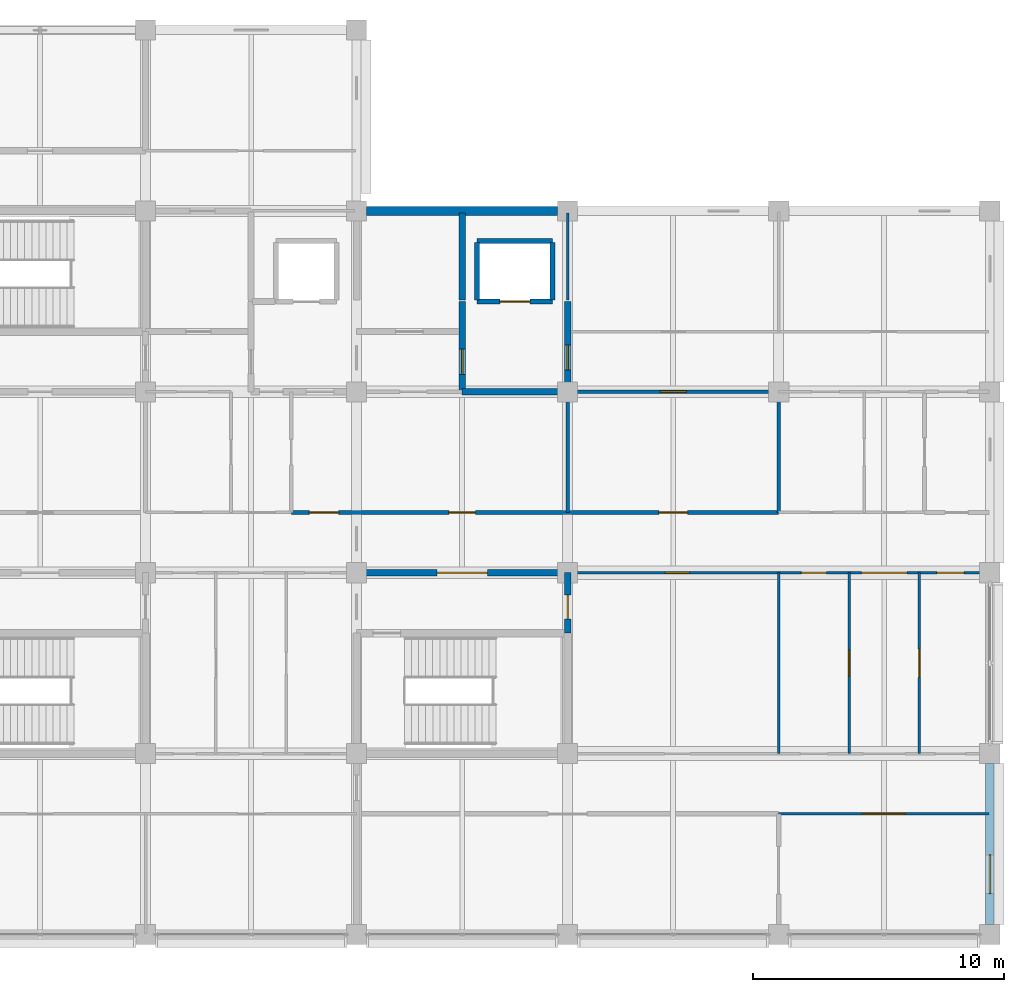
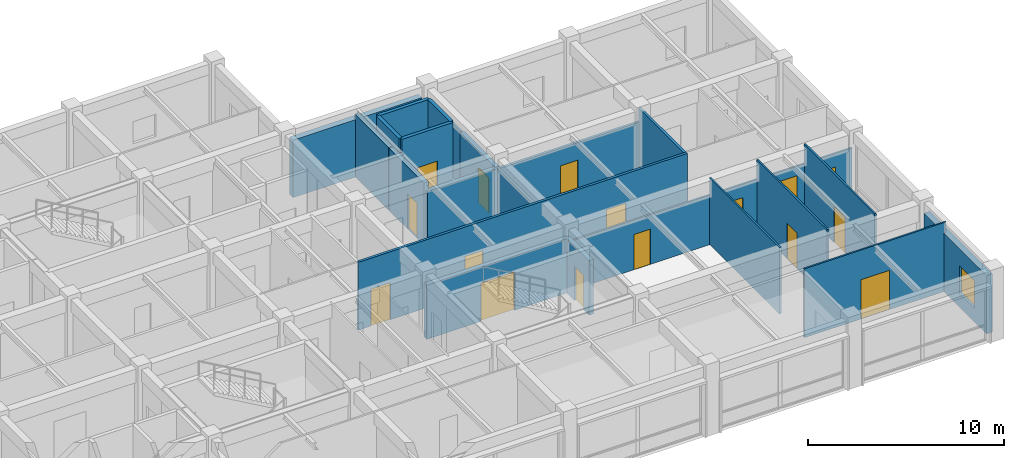
# One storey, part 25 of 30: 22 walls, 16 doors, 1 window, 17 openings.
"""IFC4 building model written with IfcOpenShell, lengths in metres."""

from ifc_helpers import new_model, si_unit, direction, frame, frame_2d, origin, place, context, subcontext, project, spatial, rectangle, extrude, material, layer, layer_set, type_object, element, fill, save


model = new_model("IFC4")

# Units and contexts
model_context = context("Model", 3, precision=1e-05, world=origin(), true_north=direction((0.0, 1.0)))
body_context = subcontext(model_context, "Body", "Model", "MODEL_VIEW")
ifc_project = project(units=[si_unit("LENGTHUNIT", "METRE"), si_unit("AREAUNIT", "SQUARE_METRE"), si_unit("VOLUMEUNIT", "CUBIC_METRE"), si_unit("PLANEANGLEUNIT", "RADIAN"), si_unit("MASSUNIT", "GRAM", prefix="KILO")], contexts=[model_context])

# Site, building, storey
site_placement = place(None, origin())
site = spatial("IfcSite", under=ifc_project, at=site_placement, CompositionType="ELEMENT")
building_placement = place(site_placement, origin())
building = spatial("IfcBuilding", under=site, at=building_placement, Name="Chengyuan Square Courthouse", CompositionType="ELEMENT")
storey_placement = place(building_placement, frame((0.0, 0.0, 30.60009765625)))
storey = spatial("IfcBuildingStorey", under=building, at=storey_placement, Name="L07", CompositionType="ELEMENT", Elevation=30.60009765625)

# Wall
ifc_material_1 = material(Name="Concrete C40", Category="concrete")
ifc_layer_1 = layer(ifc_material_1, 0.35009765625)
ifc_layer_set_1 = layer_set([ifc_layer_1], Name="Concrete C40")
wall_type_1 = type_object("IfcWallType", Name="WL-EW2", PredefinedType="STANDARD", material=ifc_layer_set_1)
wall_1_placement = place(storey_placement, frame((117.9951171875, 108.0, 0.0), z_axis=(0.0, 0.0, 1.0), x_axis=(1.0, 0.0, 0.0)))
element("IfcWall", 1, at=wall_1_placement, inside=storey, type_object=wall_type_1, Name="Exterior Wall WL-L07-E389", PredefinedType="STANDARD", context=body_context, shape_type="SweptSolid", body=[
    extrude(rectangle(XDim=7.60986328125, YDim=0.35009765625, at=frame_2d((3.804931640625, 0.0))), origin(), (0.0, 0.0, 1.0), 3.58984375),
])

# Wall, opening, window
wall_2_placement = place(storey_placement, frame((142.800048828125, 79.594970703125, 0.0), z_axis=(0.0, 0.0, 1.0), x_axis=(0.0, 1.0, 0.0)))
wall_2 = element("IfcWall", 2, at=wall_2_placement, inside=storey, type_object=wall_type_1, Name="Exterior Wall WL-L07-E391", PredefinedType="STANDARD", context=body_context, shape_type="SweptSolid", body=[
    extrude(rectangle(XDim=6.409912109375, YDim=0.35009765625, at=frame_2d((3.205078125, 0.0))), origin(), (0.0, 0.0, 1.0), 3.64990234375),
])
opening_1_placement = place(wall_2_placement, frame((1.22998046875, 0.0, 0.85009765625)))
opening_1 = element("IfcOpeningElement", 3, at=opening_1_placement, cuts=wall_2, Name="Opening WN-149", PredefinedType="OPENING", context=body_context, shape_type="SweptSolid", body=[
    extrude(rectangle(XDim=1.550048828125, YDim=1.739990234375, at=frame_2d((0.77490234375, 0.8701171875))), frame((0.0, 0.18701171875, 0.0), z_axis=(0.0, -1.0, 0.0), x_axis=(1.0, 0.0, 0.0)), (0.0, 0.0, 1.0), 0.3740234375),
])
ifc_material_2 = material(Name="Thermally Broken Aluminium Triple Low-E Window", Category="aluminium")
window_type = type_object("IfcWindowType", Name="WT-28", PartitioningType="SINGLE_PANEL", PredefinedType="WINDOW", material=ifc_material_2)
window_placement = place(opening_1_placement, origin())
window = element("IfcWindow", 4, at=window_placement, inside=storey, type_object=window_type, Name="Facade Window WN-149", OverallHeight=1.739990234375, OverallWidth=1.550048828125, PartitioningType="SINGLE_PANEL", PredefinedType="WINDOW", context=body_context, shape_type="SweptSolid", body=[
    extrude(rectangle(XDim=1.550048828125, YDim=1.739990234375, at=frame_2d((0.77490234375, 0.8701171875))), frame((0.0, 0.030029296875, 0.0), z_axis=(0.0, -1.0, 0.0), x_axis=(1.0, 0.0, 0.0)), (0.0, 0.0, 1.0), 0.06005859375),
])
fill(opening_1, window)

# Wall, opening, door
ifc_layer_2 = layer(ifc_material_1, 0.25)
ifc_layer_set_2 = layer_set([ifc_layer_2], Name="Concrete C40")
wall_type_2 = type_object("IfcWallType", Name="WL-FW1", PredefinedType="STANDARD", material=ifc_layer_set_2)
wall_3_placement = place(storey_placement, frame((117.60009765625, 93.60009765625, 0.0), z_axis=(0.0, 0.0, 1.0), x_axis=(1.0, 0.0, 0.0)))
wall_3 = element("IfcWall", 5, at=wall_3_placement, inside=storey, type_object=wall_type_2, Name="Interior Wall WL-L07-I2655", PredefinedType="STANDARD", context=body_context, shape_type="SweptSolid", body=[
    extrude(rectangle(XDim=8.39990234375, YDim=0.25, at=frame_2d((4.199951171875, 0.0))), origin(), (0.0, 0.0, 1.0), 3.389892578125),
])
opening_2_placement = place(wall_3_placement, frame((3.199951171875, 0.0, 0.0)))
opening_2 = element("IfcOpeningElement", 6, at=opening_2_placement, cuts=wall_3, Name="Opening DR-2324", PredefinedType="OPENING", context=body_context, shape_type="SweptSolid", body=[
    extrude(rectangle(XDim=2.0, YDim=2.39990234375, at=frame_2d((1.0, 1.199951171875))), frame((0.0, 0.136962890625, 0.0), z_axis=(0.0, -1.0, 0.0), x_axis=(1.0, 0.0, 0.0)), (0.0, 0.0, 1.0), 0.27392578125),
])
ifc_material_3 = material(Name="Steel Q235B Glazed Fire Door", Category="steel")
door_type_1 = type_object("IfcDoorType", Name="DT-20", OperationType="DOUBLE_DOOR_SINGLE_SWING", PredefinedType="DOOR", material=ifc_material_3)
door_1_placement = place(opening_2_placement, frame((2.0, 0.0, 0.0), z_axis=(0.0, 0.0, 1.0), x_axis=(-1.0, 0.0, 0.0)))
door_1 = element("IfcDoor", 7, at=door_1_placement, inside=storey, type_object=door_type_1, Name="Interior Door DR-2324", OperationType="DOUBLE_DOOR_SINGLE_SWING", OverallHeight=2.39990234375, OverallWidth=2.0, PredefinedType="DOOR", context=body_context, shape_type="SweptSolid", body=[
    extrude(rectangle(XDim=2.0, YDim=2.39990234375, at=frame_2d((1.0, 1.199951171875))), frame((0.0, 0.02490234375, 0.0), z_axis=(0.0, -1.0, 0.0), x_axis=(1.0, 0.0, 0.0)), (0.0, 0.0, 1.0), 0.050048828125),
])
fill(opening_2, door_1)

# Wall
wall_4_placement = place(storey_placement, frame((121.800048828125, 100.800048828125, 0.0), z_axis=(0.0, 0.0, 1.0), x_axis=(1.0, 0.0, 0.0)))
element("IfcWall", 8, at=wall_4_placement, inside=storey, type_object=wall_type_2, Name="Interior Wall WL-L07-I2682", PredefinedType="STANDARD", context=body_context, shape_type="SweptSolid", body=[
    extrude(rectangle(XDim=4.199951171875, YDim=0.25, at=frame_2d((2.10009765625, 0.0))), origin(), (0.0, 0.0, 1.0), 3.389892578125),
])

# Wall, opening, door
wall_5_placement = place(storey_placement, frame((121.800048828125, 100.800048828125, 0.0), z_axis=(0.0, 0.0, 1.0), x_axis=(0.0, 1.0, 0.0)))
wall_5 = element("IfcWall", 9, at=wall_5_placement, inside=storey, type_object=wall_type_2, Name="Interior Wall WL-L07-I2856", PredefinedType="STANDARD", context=body_context, shape_type="SweptSolid", body=[
    extrude(rectangle(XDim=3.599853515625, YDim=0.25, at=frame_2d((1.7998046875, 0.0))), origin(), (0.0, 0.0, 1.0), 3.889892578125),
])
opening_3_placement = place(wall_5_placement, frame((0.699951171875, 0.0, 0.0)))
opening_3 = element("IfcOpeningElement", 10, at=opening_3_placement, cuts=wall_5, Name="Opening DR-2343", PredefinedType="OPENING", context=body_context, shape_type="SweptSolid", body=[
    extrude(rectangle(XDim=1.0, YDim=2.199951171875, at=frame_2d((0.5, 1.10009765625))), frame((0.0, 0.136962890625, 0.0), z_axis=(0.0, -1.0, 0.0), x_axis=(1.0, 0.0, 0.0)), (0.0, 0.0, 1.0), 0.27392578125),
])
ifc_material_4 = material(Name="Steel Q235B Fire Door", Category="steel")
door_type_2 = type_object("IfcDoorType", Name="DT-11", OperationType="NOTDEFINED", PredefinedType="DOOR", material=ifc_material_4)
door_2_placement = place(opening_3_placement, origin())
door_2 = element("IfcDoor", 11, at=door_2_placement, inside=storey, type_object=door_type_2, Name="Interior Door DR-2343", OperationType="SINGLE_SWING_RIGHT", OverallHeight=2.199951171875, OverallWidth=1.0, PredefinedType="DOOR", context=body_context, shape_type="SweptSolid", body=[
    extrude(rectangle(XDim=1.0, YDim=2.199951171875, at=frame_2d((0.5, 1.10009765625))), frame((0.0, 0.02490234375, 0.0), z_axis=(0.0, -1.0, 0.0), x_axis=(1.0, 0.0, 0.0)), (0.0, 0.0, 1.0), 0.050048828125),
])
fill(opening_3, door_2)

# Wall
wall_6_placement = place(storey_placement, frame((121.800048828125, 104.449951171875, 0.0), z_axis=(0.0, 0.0, 1.0), x_axis=(0.0, 1.0, 0.0)))
element("IfcWall", 12, at=wall_6_placement, inside=storey, type_object=wall_type_2, Name="Interior Wall WL-L07-I2857", PredefinedType="STANDARD", context=body_context, shape_type="SweptSolid", body=[
    extrude(rectangle(XDim=3.4599609375, YDim=0.25, at=frame_2d((1.72998046875, 0.0))), origin(), (0.0, 0.0, 1.0), 3.889892578125),
])

# Wall, opening, door
wall_7_placement = place(storey_placement, frame((126.0, 91.199951171875, 0.0), z_axis=(0.0, 0.0, 1.0), x_axis=(0.0, 1.0, 0.0)))
wall_7 = element("IfcWall", 13, at=wall_7_placement, inside=storey, type_object=wall_type_2, Name="Interior Wall WL-L07-I2861", PredefinedType="STANDARD", context=body_context, shape_type="SweptSolid", body=[
    extrude(rectangle(XDim=2.400146484375, YDim=0.25, at=frame_2d((1.2001953125, 0.0))), origin(), (0.0, 0.0, 1.0), 3.39990234375),
])
opening_4_placement = place(wall_7_placement, frame((0.56494140625, 0.0, 0.0)))
opening_4 = element("IfcOpeningElement", 14, at=opening_4_placement, cuts=wall_7, Name="Opening DR-2326", PredefinedType="OPENING", context=body_context, shape_type="SweptSolid", body=[
    extrude(rectangle(XDim=0.949951171875, YDim=2.14990234375, at=frame_2d((0.47509765625, 1.074951171875))), frame((0.0, 0.136962890625, 0.0), z_axis=(0.0, -1.0, 0.0), x_axis=(1.0, 0.0, 0.0)), (0.0, 0.0, 1.0), 0.27392578125),
])
door_type_3 = type_object("IfcDoorType", Name="DT-12", OperationType="NOTDEFINED", PredefinedType="DOOR", material=ifc_material_4)
door_3_placement = place(opening_4_placement, origin())
door_3 = element("IfcDoor", 15, at=door_3_placement, inside=storey, type_object=door_type_3, Name="Interior Door DR-2326", OperationType="SINGLE_SWING_LEFT", OverallHeight=2.14990234375, OverallWidth=0.949951171875, PredefinedType="DOOR", context=body_context, shape_type="SweptSolid", body=[
    extrude(rectangle(XDim=0.949951171875, YDim=2.14990234375, at=frame_2d((0.47509765625, 1.074951171875))), frame((0.0, 0.02490234375, 0.0), z_axis=(0.0, -1.0, 0.0), x_axis=(1.0, 0.0, 0.0)), (0.0, 0.0, 1.0), 0.050048828125),
])
fill(opening_4, door_3)

wall_8_placement = place(storey_placement, frame((126.0, 100.800048828125, 0.0), z_axis=(0.0, 0.0, 1.0), x_axis=(0.0, 1.0, 0.0)))
wall_8 = element("IfcWall", 16, at=wall_8_placement, inside=storey, type_object=wall_type_2, Name="Interior Wall WL-L07-I2863", PredefinedType="STANDARD", context=body_context, shape_type="SweptSolid", body=[
    extrude(rectangle(XDim=3.599853515625, YDim=0.25, at=frame_2d((1.7998046875, 0.0))), origin(), (0.0, 0.0, 1.0), 3.39990234375),
])
opening_5_placement = place(wall_8_placement, frame((0.860107421875, 0.0, 0.0)))
opening_5 = element("IfcOpeningElement", 17, at=opening_5_placement, cuts=wall_8, Name="Opening DR-2346", PredefinedType="OPENING", context=body_context, shape_type="SweptSolid", body=[
    extrude(rectangle(XDim=1.0, YDim=2.199951171875, at=frame_2d((0.5, 1.10009765625))), frame((0.0, 0.136962890625, 0.0), z_axis=(0.0, -1.0, 0.0), x_axis=(1.0, 0.0, 0.0)), (0.0, 0.0, 1.0), 0.27392578125),
])
door_4_placement = place(opening_5_placement, origin())
door_4 = element("IfcDoor", 18, at=door_4_placement, inside=storey, type_object=door_type_2, Name="Interior Door DR-2346", OperationType="SINGLE_SWING_LEFT", OverallHeight=2.199951171875, OverallWidth=1.0, PredefinedType="DOOR", context=body_context, shape_type="SweptSolid", body=[
    extrude(rectangle(XDim=1.0, YDim=2.199951171875, at=frame_2d((0.5, 1.10009765625))), frame((0.0, 0.02490234375, 0.0), z_axis=(0.0, -1.0, 0.0), x_axis=(1.0, 0.0, 0.0)), (0.0, 0.0, 1.0), 0.050048828125),
])
fill(opening_5, door_4)

# Wall, openings, doors
ifc_material_5 = material(Name="Deliberation Room Sound-Insulated Partition")
ifc_layer_3 = layer(ifc_material_5, 0.14990234375)
ifc_layer_set_3 = layer_set([ifc_layer_3], Name="Deliberation Room Sound-Insulated Partition")
wall_type_3 = type_object("IfcWallType", Name="WL-PT3", PredefinedType="STANDARD", material=ifc_layer_set_3)
wall_9_placement = place(storey_placement, frame((115.0, 96.0, 0.0), z_axis=(0.0, 0.0, 1.0), x_axis=(1.0, 0.0, 0.0)))
wall_9 = element("IfcWall", 19, at=wall_9_placement, inside=storey, type_object=wall_type_3, Name="Interior Wall WL-L07-I2664", PredefinedType="STANDARD", context=body_context, shape_type="SweptSolid", body=[
    extrude(rectangle(XDim=19.39990234375, YDim=0.14990234375, at=frame_2d((9.699951171875, 0.0))), origin(), (0.0, 0.0, 1.0), 4.239990234375),
])
opening_6_placement = place(wall_9_placement, frame((0.719970703125, 0.0, 0.0)))
opening_6 = element("IfcOpeningElement", 20, at=opening_6_placement, cuts=wall_9, Name="Opening DR-2415", PredefinedType="OPENING", context=body_context, shape_type="SweptSolid", body=[
    extrude(rectangle(XDim=1.159912109375, YDim=2.300048828125, at=frame_2d((0.580078125, 1.14990234375))), frame((0.0, 0.0869140625, 0.0), z_axis=(0.0, -1.0, 0.0), x_axis=(1.0, 0.0, 0.0)), (0.0, 0.0, 1.0), 0.173828125),
])
opening_7_placement = place(wall_9_placement, frame((6.27001953125, 0.0, 0.0)))
opening_7 = element("IfcOpeningElement", 21, at=opening_7_placement, cuts=wall_9, Name="Opening DR-2422", PredefinedType="OPENING", context=body_context, shape_type="SweptSolid", body=[
    extrude(rectangle(XDim=1.06005859375, YDim=2.39990234375, at=frame_2d((0.530029296875, 1.199951171875))), frame((0.0, 0.0869140625, 0.0), z_axis=(0.0, -1.0, 0.0), x_axis=(1.0, 0.0, 0.0)), (0.0, 0.0, 1.0), 0.173828125),
])
opening_8_placement = place(wall_9_placement, frame((14.6298828125, 0.0, 0.0)))
opening_8 = element("IfcOpeningElement", 22, at=opening_8_placement, cuts=wall_9, Name="Opening DR-2423", PredefinedType="OPENING", context=body_context, shape_type="SweptSolid", body=[
    extrude(rectangle(XDim=1.139892578125, YDim=2.39990234375, at=frame_2d((0.56982421875, 1.199951171875))), frame((0.0, 0.0869140625, 0.0), z_axis=(0.0, -1.0, 0.0), x_axis=(1.0, 0.0, 0.0)), (0.0, 0.0, 1.0), 0.173828125),
])
ifc_material_6 = material(Name="Acoustic Solid-Core Timber Door", Category="wood")
door_type_4 = type_object("IfcDoorType", Name="DT-35", OperationType="NOTDEFINED", PredefinedType="DOOR", material=ifc_material_6)
door_5_placement = place(opening_6_placement, origin())
door_5 = element("IfcDoor", 23, at=door_5_placement, inside=storey, type_object=door_type_4, Name="Interior Door DR-2415", OperationType="SINGLE_SWING_LEFT", OverallHeight=2.300048828125, OverallWidth=1.159912109375, PredefinedType="DOOR", context=body_context, shape_type="SweptSolid", body=[
    extrude(rectangle(XDim=1.159912109375, YDim=2.300048828125, at=frame_2d((0.580078125, 1.14990234375))), frame((0.0, 0.02490234375, 0.0), z_axis=(0.0, -1.0, 0.0), x_axis=(1.0, 0.0, 0.0)), (0.0, 0.0, 1.0), 0.050048828125),
])
fill(opening_6, door_5)
door_type_5 = type_object("IfcDoorType", Name="DT-42", OperationType="NOTDEFINED", PredefinedType="DOOR", material=ifc_material_6)
door_6_placement = place(opening_7_placement, origin())
door_6 = element("IfcDoor", 24, at=door_6_placement, inside=storey, type_object=door_type_5, Name="Interior Door DR-2422", OperationType="SINGLE_SWING_RIGHT", OverallHeight=2.39990234375, OverallWidth=1.06005859375, PredefinedType="DOOR", context=body_context, shape_type="SweptSolid", body=[
    extrude(rectangle(XDim=1.06005859375, YDim=2.39990234375, at=frame_2d((0.530029296875, 1.199951171875))), frame((0.0, 0.02490234375, 0.0), z_axis=(0.0, -1.0, 0.0), x_axis=(1.0, 0.0, 0.0)), (0.0, 0.0, 1.0), 0.050048828125),
])
fill(opening_7, door_6)
door_type_6 = type_object("IfcDoorType", Name="DT-43", OperationType="NOTDEFINED", PredefinedType="DOOR", material=ifc_material_6)
door_7_placement = place(opening_8_placement, origin())
door_7 = element("IfcDoor", 25, at=door_7_placement, inside=storey, type_object=door_type_6, Name="Interior Door DR-2423", OperationType="SINGLE_SWING_LEFT", OverallHeight=2.39990234375, OverallWidth=1.139892578125, PredefinedType="DOOR", context=body_context, shape_type="SweptSolid", body=[
    extrude(rectangle(XDim=1.139892578125, YDim=2.39990234375, at=frame_2d((0.56982421875, 1.199951171875))), frame((0.0, 0.02490234375, 0.0), z_axis=(0.0, -1.0, 0.0), x_axis=(1.0, 0.0, 0.0)), (0.0, 0.0, 1.0), 0.050048828125),
])
fill(opening_8, door_7)

# Wall, opening, door
wall_10_placement = place(storey_placement, frame((126.0, 100.800048828125, 0.0), z_axis=(0.0, 0.0, 1.0), x_axis=(1.0, 0.0, 0.0)))
wall_10 = element("IfcWall", 26, at=wall_10_placement, inside=storey, type_object=wall_type_3, Name="Interior Wall WL-L07-I2683", PredefinedType="STANDARD", context=body_context, shape_type="SweptSolid", body=[
    extrude(rectangle(XDim=8.39990234375, YDim=0.14990234375, at=frame_2d((4.199951171875, 0.0))), origin(), (0.0, 0.0, 1.0), 3.2998046875),
])
opening_9_placement = place(wall_10_placement, frame((3.679931640625, 0.0, 0.0)))
opening_9 = element("IfcOpeningElement", 27, at=opening_9_placement, cuts=wall_10, Name="Opening DR-2378", PredefinedType="OPENING", context=body_context, shape_type="SweptSolid", body=[
    extrude(rectangle(XDim=1.0400390625, YDim=2.199951171875, at=frame_2d((0.52001953125, 1.10009765625))), frame((0.0, 0.0869140625, 0.0), z_axis=(0.0, -1.0, 0.0), x_axis=(1.0, 0.0, 0.0)), (0.0, 0.0, 1.0), 0.173828125),
])
door_type_7 = type_object("IfcDoorType", Name="DT-32", OperationType="NOTDEFINED", PredefinedType="DOOR", material=ifc_material_6)
door_8_placement = place(opening_9_placement, origin())
door_8 = element("IfcDoor", 28, at=door_8_placement, inside=storey, type_object=door_type_7, Name="Interior Door DR-2378", OperationType="SINGLE_SWING_RIGHT", OverallHeight=2.199951171875, OverallWidth=1.0400390625, PredefinedType="DOOR", context=body_context, shape_type="SweptSolid", body=[
    extrude(rectangle(XDim=1.0400390625, YDim=2.199951171875, at=frame_2d((0.52001953125, 1.10009765625))), frame((0.0, 0.02490234375, 0.0), z_axis=(0.0, -1.0, 0.0), x_axis=(1.0, 0.0, 0.0)), (0.0, 0.0, 1.0), 0.050048828125),
])
fill(opening_9, door_8)

# Walls
wall_11_placement = place(storey_placement, frame((126.0, 96.0, 0.0), z_axis=(0.0, 0.0, 1.0), x_axis=(0.0, 1.0, 0.0)))
element("IfcWall", 29, at=wall_11_placement, inside=storey, type_object=wall_type_3, Name="Interior Wall WL-L07-I2862", PredefinedType="STANDARD", context=body_context, shape_type="SweptSolid", body=[
    extrude(rectangle(XDim=4.800048828125, YDim=0.14990234375, at=frame_2d((2.39990234375, 0.0))), origin(), (0.0, 0.0, 1.0), 3.39990234375),
])
wall_12_placement = place(storey_placement, frame((134.39990234375, 96.0, 0.0), z_axis=(0.0, 0.0, 1.0), x_axis=(0.0, 1.0, 0.0)))
element("IfcWall", 30, at=wall_12_placement, inside=storey, type_object=wall_type_3, Name="Interior Wall WL-L07-I2867", PredefinedType="STANDARD", context=body_context, shape_type="SweptSolid", body=[
    extrude(rectangle(XDim=4.800048828125, YDim=0.14990234375, at=frame_2d((2.39990234375, 0.0))), origin(), (0.0, 0.0, 1.0), 4.14990234375),
])

# Wall, opening, door
ifc_material_7 = material(Name="Gypsum Plasterboard Acoustic Stud Partition")
ifc_layer_4 = layer(ifc_material_7, 0.10009765625)
ifc_layer_set_4 = layer_set([ifc_layer_4], Name="Gypsum Plasterboard Acoustic Stud Partition")
wall_type_4 = type_object("IfcWallType", Name="WL-PT6", PredefinedType="STANDARD", material=ifc_layer_set_4)
wall_13_placement = place(storey_placement, frame((134.39990234375, 84.0, 0.0), z_axis=(0.0, 0.0, 1.0), x_axis=(1.0, 0.0, 0.0)))
wall_13 = element("IfcWall", 31, at=wall_13_placement, inside=storey, type_object=wall_type_4, Name="Interior Wall WL-L07-I2622", PredefinedType="STANDARD", context=body_context, shape_type="SweptSolid", body=[
    extrude(rectangle(XDim=8.360107421875, YDim=0.10009765625, at=frame_2d((4.18017578125, 0.0))), origin(), (0.0, 0.0, 1.0), 4.2998046875),
])
opening_10_placement = place(wall_13_placement, frame((3.330078125, 0.0, 0.0)))
opening_10 = element("IfcOpeningElement", 32, at=opening_10_placement, cuts=wall_13, Name="Opening DR-2492", PredefinedType="OPENING", context=body_context, shape_type="SweptSolid", body=[
    extrude(rectangle(XDim=1.699951171875, YDim=2.449951171875, at=frame_2d((0.85009765625, 1.22509765625))), frame((0.0, 0.06201171875, 0.0), z_axis=(0.0, -1.0, 0.0), x_axis=(1.0, 0.0, 0.0)), (0.0, 0.0, 1.0), 0.1240234375),
])
ifc_material_8 = material(Name="Acoustic Larch Veneer Double Door")
door_type_8 = type_object("IfcDoorType", Name="DT-24", OperationType="DOUBLE_DOOR_SINGLE_SWING", PredefinedType="DOOR", material=ifc_material_8)
door_9_placement = place(opening_10_placement, frame((1.699951171875, 0.0, 0.0), z_axis=(0.0, 0.0, 1.0), x_axis=(-1.0, 0.0, 0.0)))
door_9 = element("IfcDoor", 33, at=door_9_placement, inside=storey, type_object=door_type_8, Name="Interior Door DR-2492", OperationType="DOUBLE_DOOR_SINGLE_SWING", OverallHeight=2.449951171875, OverallWidth=1.699951171875, PredefinedType="DOOR", context=body_context, shape_type="SweptSolid", body=[
    extrude(rectangle(XDim=1.699951171875, YDim=2.449951171875, at=frame_2d((0.85009765625, 1.22509765625))), frame((0.0, 0.02490234375, 0.0), z_axis=(0.0, -1.0, 0.0), x_axis=(1.0, 0.0, 0.0)), (0.0, 0.0, 1.0), 0.050048828125),
])
fill(opening_10, door_9)

# Wall, openings, doors
wall_14_placement = place(storey_placement, frame((126.0, 93.60009765625, 0.0), z_axis=(0.0, 0.0, 1.0), x_axis=(1.0, 0.0, 0.0)))
wall_14 = element("IfcWall", 34, at=wall_14_placement, inside=storey, type_object=wall_type_4, Name="Interior Wall WL-L07-I2656", PredefinedType="STANDARD", context=body_context, shape_type="SweptSolid", body=[
    extrude(rectangle(XDim=16.760009765625, YDim=0.10009765625, at=frame_2d((8.3798828125, 0.0))), origin(), (0.0, 0.0, 1.0), 3.099853515625),
])
opening_11_placement = place(wall_14_placement, frame((3.8798828125, 0.0, 0.0)))
opening_11 = element("IfcOpeningElement", 35, at=opening_11_placement, cuts=wall_14, Name="Opening DR-2427", PredefinedType="OPENING", context=body_context, shape_type="SweptSolid", body=[
    extrude(rectangle(XDim=0.9599609375, YDim=2.199951171875, at=frame_2d((0.47998046875, 1.10009765625))), frame((0.0, 0.06201171875, 0.0), z_axis=(0.0, -1.0, 0.0), x_axis=(1.0, 0.0, 0.0)), (0.0, 0.0, 1.0), 0.1240234375),
])
opening_12_placement = place(wall_14_placement, frame((9.300048828125, 0.0, 0.0)))
opening_12 = element("IfcOpeningElement", 36, at=opening_12_placement, cuts=wall_14, Name="Opening DR-2428", PredefinedType="OPENING", context=body_context, shape_type="SweptSolid", body=[
    extrude(rectangle(XDim=1.0, YDim=2.25, at=frame_2d((0.5, 1.125))), frame((0.0, 0.06201171875, 0.0), z_axis=(0.0, -1.0, 0.0), x_axis=(1.0, 0.0, 0.0)), (0.0, 0.0, 1.0), 0.1240234375),
])
opening_13_placement = place(wall_14_placement, frame((11.699951171875, 0.0, 0.0)))
opening_13 = element("IfcOpeningElement", 37, at=opening_13_placement, cuts=wall_14, Name="Opening DR-2429", PredefinedType="OPENING", context=body_context, shape_type="SweptSolid", body=[
    extrude(rectangle(XDim=1.800048828125, YDim=2.5, at=frame_2d((0.89990234375, 1.25))), frame((0.0, 0.06201171875, 0.0), z_axis=(0.0, -1.0, 0.0), x_axis=(1.0, 0.0, 0.0)), (0.0, 0.0, 1.0), 0.1240234375),
])
opening_14_placement = place(wall_14_placement, frame((14.699951171875, 0.0, 0.0)))
opening_14 = element("IfcOpeningElement", 38, at=opening_14_placement, cuts=wall_14, Name="Opening DR-2430", PredefinedType="OPENING", context=body_context, shape_type="SweptSolid", body=[
    extrude(rectangle(XDim=1.080078125, YDim=2.25, at=frame_2d((0.5400390625, 1.125))), frame((0.0, 0.06201171875, 0.0), z_axis=(0.0, -1.0, 0.0), x_axis=(1.0, 0.0, 0.0)), (0.0, 0.0, 1.0), 0.1240234375),
])
door_type_9 = type_object("IfcDoorType", Name="DT-21", OperationType="DOUBLE_DOOR_SINGLE_SWING", PredefinedType="DOOR", material=ifc_material_8)
door_10_placement = place(opening_13_placement, frame((1.800048828125, 0.0, 0.0), z_axis=(0.0, 0.0, 1.0), x_axis=(-1.0, 0.0, 0.0)))
door_10 = element("IfcDoor", 39, at=door_10_placement, inside=storey, type_object=door_type_9, Name="Interior Door DR-2429", OperationType="DOUBLE_DOOR_SINGLE_SWING", OverallHeight=2.5, OverallWidth=1.800048828125, PredefinedType="DOOR", context=body_context, shape_type="SweptSolid", body=[
    extrude(rectangle(XDim=1.800048828125, YDim=2.5, at=frame_2d((0.89990234375, 1.25))), frame((0.0, 0.02490234375, 0.0), z_axis=(0.0, -1.0, 0.0), x_axis=(1.0, 0.0, 0.0)), (0.0, 0.0, 1.0), 0.050048828125),
])
fill(opening_13, door_10)
door_type_10 = type_object("IfcDoorType", Name="DT-30", OperationType="NOTDEFINED", PredefinedType="DOOR", material=ifc_material_6)
door_11_placement = place(opening_11_placement, origin())
door_11 = element("IfcDoor", 40, at=door_11_placement, inside=storey, type_object=door_type_10, Name="Interior Door DR-2427", OperationType="SINGLE_SWING_LEFT", OverallHeight=2.199951171875, OverallWidth=0.9599609375, PredefinedType="DOOR", context=body_context, shape_type="SweptSolid", body=[
    extrude(rectangle(XDim=0.9599609375, YDim=2.199951171875, at=frame_2d((0.47998046875, 1.10009765625))), frame((0.0, 0.02490234375, 0.0), z_axis=(0.0, -1.0, 0.0), x_axis=(1.0, 0.0, 0.0)), (0.0, 0.0, 1.0), 0.050048828125),
])
fill(opening_11, door_11)
door_type_11 = type_object("IfcDoorType", Name="DT-31", OperationType="NOTDEFINED", PredefinedType="DOOR", material=ifc_material_6)
door_12_placement = place(opening_12_placement, origin())
door_12 = element("IfcDoor", 41, at=door_12_placement, inside=storey, type_object=door_type_11, Name="Interior Door DR-2428", OperationType="SINGLE_SWING_RIGHT", OverallHeight=2.25, OverallWidth=1.0, PredefinedType="DOOR", context=body_context, shape_type="SweptSolid", body=[
    extrude(rectangle(XDim=1.0, YDim=2.25, at=frame_2d((0.5, 1.125))), frame((0.0, 0.02490234375, 0.0), z_axis=(0.0, -1.0, 0.0), x_axis=(1.0, 0.0, 0.0)), (0.0, 0.0, 1.0), 0.050048828125),
])
fill(opening_12, door_12)
door_type_12 = type_object("IfcDoorType", Name="DT-33", OperationType="NOTDEFINED", PredefinedType="DOOR", material=ifc_material_6)
door_13_placement = place(opening_14_placement, origin())
door_13 = element("IfcDoor", 42, at=door_13_placement, inside=storey, type_object=door_type_12, Name="Interior Door DR-2430", OperationType="SINGLE_SWING_LEFT", OverallHeight=2.25, OverallWidth=1.080078125, PredefinedType="DOOR", context=body_context, shape_type="SweptSolid", body=[
    extrude(rectangle(XDim=1.080078125, YDim=2.25, at=frame_2d((0.5400390625, 1.125))), frame((0.0, 0.02490234375, 0.0), z_axis=(0.0, -1.0, 0.0), x_axis=(1.0, 0.0, 0.0)), (0.0, 0.0, 1.0), 0.050048828125),
])
fill(opening_14, door_13)

# Walls
wall_15_placement = place(storey_placement, frame((126.0, 104.449951171875, 0.0), z_axis=(0.0, 0.0, 1.0), x_axis=(0.0, 1.0, 0.0)))
element("IfcWall", 43, at=wall_15_placement, inside=storey, type_object=wall_type_4, Name="Interior Wall WL-L07-I2864", PredefinedType="STANDARD", context=body_context, shape_type="SweptSolid", body=[
    extrude(rectangle(XDim=3.4599609375, YDim=0.10009765625, at=frame_2d((1.72998046875, 0.0))), origin(), (0.0, 0.0, 1.0), 3.39990234375),
])
wall_16_placement = place(storey_placement, frame((134.39990234375, 86.39990234375, 0.0), z_axis=(0.0, 0.0, 1.0), x_axis=(0.0, 1.0, 0.0)))
element("IfcWall", 44, at=wall_16_placement, inside=storey, type_object=wall_type_4, Name="Interior Wall WL-L07-I2866", PredefinedType="STANDARD", context=body_context, shape_type="SweptSolid", body=[
    extrude(rectangle(XDim=7.2001953125, YDim=0.10009765625, at=frame_2d((3.60009765625, 0.0))), origin(), (0.0, 0.0, 1.0), 4.14990234375),
])

# Wall, opening, door
wall_17_placement = place(storey_placement, frame((137.199951171875, 86.39990234375, 0.0), z_axis=(0.0, 0.0, 1.0), x_axis=(0.0, 1.0, 0.0)))
wall_17 = element("IfcWall", 45, at=wall_17_placement, inside=storey, type_object=wall_type_4, Name="Interior Wall WL-L07-I2869", PredefinedType="STANDARD", context=body_context, shape_type="SweptSolid", body=[
    extrude(rectangle(XDim=7.2001953125, YDim=0.10009765625, at=frame_2d((3.60009765625, 0.0))), origin(), (0.0, 0.0, 1.0), 4.2998046875),
])
opening_15_placement = place(wall_17_placement, frame((3.080078125, 0.0, 0.0)))
opening_15 = element("IfcOpeningElement", 46, at=opening_15_placement, cuts=wall_17, Name="Opening DR-2463", PredefinedType="OPENING", context=body_context, shape_type="SweptSolid", body=[
    extrude(rectangle(XDim=1.0400390625, YDim=2.199951171875, at=frame_2d((0.52001953125, 1.10009765625))), frame((0.0, 0.06201171875, 0.0), z_axis=(0.0, -1.0, 0.0), x_axis=(1.0, 0.0, 0.0)), (0.0, 0.0, 1.0), 0.1240234375),
])
door_14_placement = place(opening_15_placement, origin())
door_14 = element("IfcDoor", 47, at=door_14_placement, inside=storey, type_object=door_type_7, Name="Interior Door DR-2463", OperationType="SINGLE_SWING_LEFT", OverallHeight=2.199951171875, OverallWidth=1.0400390625, PredefinedType="DOOR", context=body_context, shape_type="SweptSolid", body=[
    extrude(rectangle(XDim=1.0400390625, YDim=2.199951171875, at=frame_2d((0.52001953125, 1.10009765625))), frame((0.0, 0.02490234375, 0.0), z_axis=(0.0, -1.0, 0.0), x_axis=(1.0, 0.0, 0.0)), (0.0, 0.0, 1.0), 0.050048828125),
])
fill(opening_15, door_14)

wall_18_placement = place(storey_placement, frame((140.0, 86.39990234375, 0.0), z_axis=(0.0, 0.0, 1.0), x_axis=(0.0, 1.0, 0.0)))
wall_18 = element("IfcWall", 48, at=wall_18_placement, inside=storey, type_object=wall_type_4, Name="Interior Wall WL-L07-I2871", PredefinedType="STANDARD", context=body_context, shape_type="SweptSolid", body=[
    extrude(rectangle(XDim=7.2001953125, YDim=0.10009765625, at=frame_2d((3.60009765625, 0.0))), origin(), (0.0, 0.0, 1.0), 4.2998046875),
])
opening_16_placement = place(wall_18_placement, frame((3.0400390625, 0.0, 0.0)))
opening_16 = element("IfcOpeningElement", 49, at=opening_16_placement, cuts=wall_18, Name="Opening DR-2465", PredefinedType="OPENING", context=body_context, shape_type="SweptSolid", body=[
    extrude(rectangle(XDim=1.1201171875, YDim=2.25, at=frame_2d((0.56005859375, 1.125))), frame((0.0, 0.06201171875, 0.0), z_axis=(0.0, -1.0, 0.0), x_axis=(1.0, 0.0, 0.0)), (0.0, 0.0, 1.0), 0.1240234375),
])
door_type_13 = type_object("IfcDoorType", Name="DT-34", OperationType="NOTDEFINED", PredefinedType="DOOR", material=ifc_material_6)
door_15_placement = place(opening_16_placement, origin())
door_15 = element("IfcDoor", 50, at=door_15_placement, inside=storey, type_object=door_type_13, Name="Interior Door DR-2465", OperationType="SINGLE_SWING_LEFT", OverallHeight=2.25, OverallWidth=1.1201171875, PredefinedType="DOOR", context=body_context, shape_type="SweptSolid", body=[
    extrude(rectangle(XDim=1.1201171875, YDim=2.25, at=frame_2d((0.56005859375, 1.125))), frame((0.0, 0.02490234375, 0.0), z_axis=(0.0, -1.0, 0.0), x_axis=(1.0, 0.0, 0.0)), (0.0, 0.0, 1.0), 0.050048828125),
])
fill(opening_16, door_15)

ifc_material_9 = material(Name="Reinforced Masonry Shaft Enclosure", Category="masonry")
ifc_layer_5 = layer(ifc_material_9, 0.199951171875)
ifc_layer_set_5 = layer_set([ifc_layer_5], Name="Reinforced Masonry Shaft Enclosure")
wall_type_5 = type_object("IfcWallType", Name="WL-SH1", PredefinedType="STANDARD", material=ifc_layer_set_5)
wall_19_placement = place(storey_placement, frame((122.39990234375, 104.39990234375, 0.0), z_axis=(0.0, 0.0, 1.0), x_axis=(1.0, 0.0, 0.0)))
wall_19 = element("IfcWall", 51, at=wall_19_placement, inside=storey, type_object=wall_type_5, Name="Interior Wall WL-L07-I2708", PredefinedType="STANDARD", context=body_context, shape_type="SweptSolid", body=[
    extrude(rectangle(XDim=3.0, YDim=0.199951171875, at=frame_2d((1.5, 0.0))), origin(), (0.0, 0.0, 1.0), 4.239990234375),
])
opening_17_placement = place(wall_19_placement, frame((0.89990234375, 0.0, 0.0)))
opening_17 = element("IfcOpeningElement", 52, at=opening_17_placement, cuts=wall_19, Name="Opening LD-120", PredefinedType="OPENING", context=body_context, shape_type="SweptSolid", body=[
    extrude(rectangle(XDim=1.199951171875, YDim=2.14990234375, at=frame_2d((0.60009765625, 1.074951171875))), frame((0.0, 0.112060546875, 0.0), z_axis=(0.0, -1.0, 0.0), x_axis=(1.0, 0.0, 0.0)), (0.0, 0.0, 1.0), 0.223876953125),
])
ifc_material_10 = material(Name="Stainless Steel S30408 Lift Landing Door", Category="steel")
door_type_14 = type_object("IfcDoorType", Name="DT-05", OperationType="DOUBLE_DOOR_SLIDING", PredefinedType="DOOR", material=ifc_material_10)
door_16_placement = place(opening_17_placement, origin())
door_16 = element("IfcDoor", 53, at=door_16_placement, inside=storey, type_object=door_type_14, Name="Lift Landing Door LF-F4 L07", OperationType="DOUBLE_DOOR_SLIDING", OverallHeight=2.14990234375, OverallWidth=1.199951171875, PredefinedType="DOOR", context=body_context, shape_type="SweptSolid", body=[
    extrude(rectangle(XDim=1.199951171875, YDim=2.14990234375, at=frame_2d((0.60009765625, 1.074951171875))), frame((0.0, 0.02490234375, 0.0), z_axis=(0.0, -1.0, 0.0), x_axis=(1.0, 0.0, 0.0)), (0.0, 0.0, 1.0), 0.050048828125),
])
fill(opening_17, door_16)

# Walls
wall_20_placement = place(storey_placement, frame((122.39990234375, 106.800048828125, 0.0), z_axis=(0.0, 0.0, 1.0), x_axis=(1.0, 0.0, 0.0)))
element("IfcWall", 54, at=wall_20_placement, inside=storey, type_object=wall_type_5, Name="Interior Wall WL-L07-I2718", PredefinedType="STANDARD", context=body_context, shape_type="SweptSolid", body=[
    extrude(rectangle(XDim=3.0, YDim=0.199951171875, at=frame_2d((1.5, 0.0))), origin(), (0.0, 0.0, 1.0), 4.239990234375),
])
for number, where, z_axis, x_axis, name in (
    (55, (122.39990234375, 104.449951171875, 0.0), (0.0, 0.0, 1.0), (0.0, 1.0, 0.0), "Interior Wall WL-L07-I2858"),
    (56, (125.39990234375, 104.449951171875, 0.0), (0.0, 0.0, 1.0), (0.0, 1.0, 0.0), "Interior Wall WL-L07-I2859"),
):
    element("IfcWall", number, at=place(storey_placement, frame(where, z_axis=z_axis, x_axis=x_axis)), inside=storey, type_object=wall_type_5, Name=name, PredefinedType="STANDARD", context=body_context, shape_type="SweptSolid", body=[
        extrude(rectangle(XDim=2.300048828125, YDim=0.199951171875, at=frame_2d((1.14990234375, 0.0))), origin(), (0.0, 0.0, 1.0), 4.239990234375),
    ])

save(model, "model.ifc")
